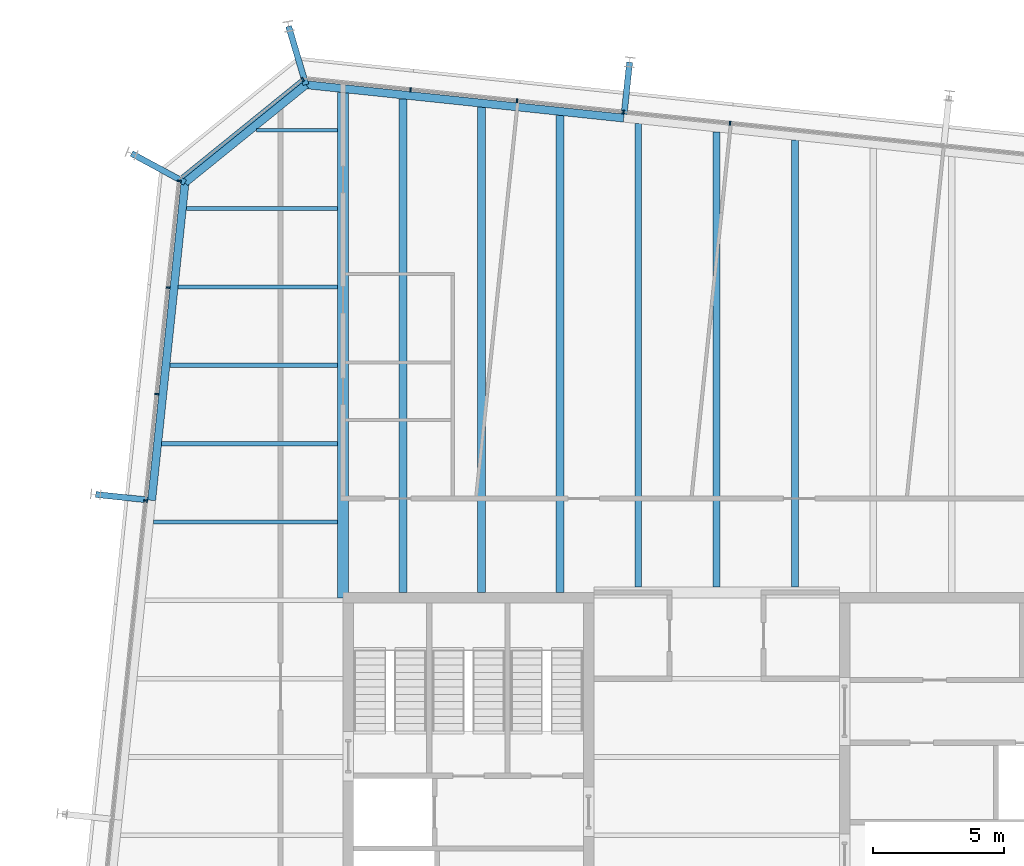
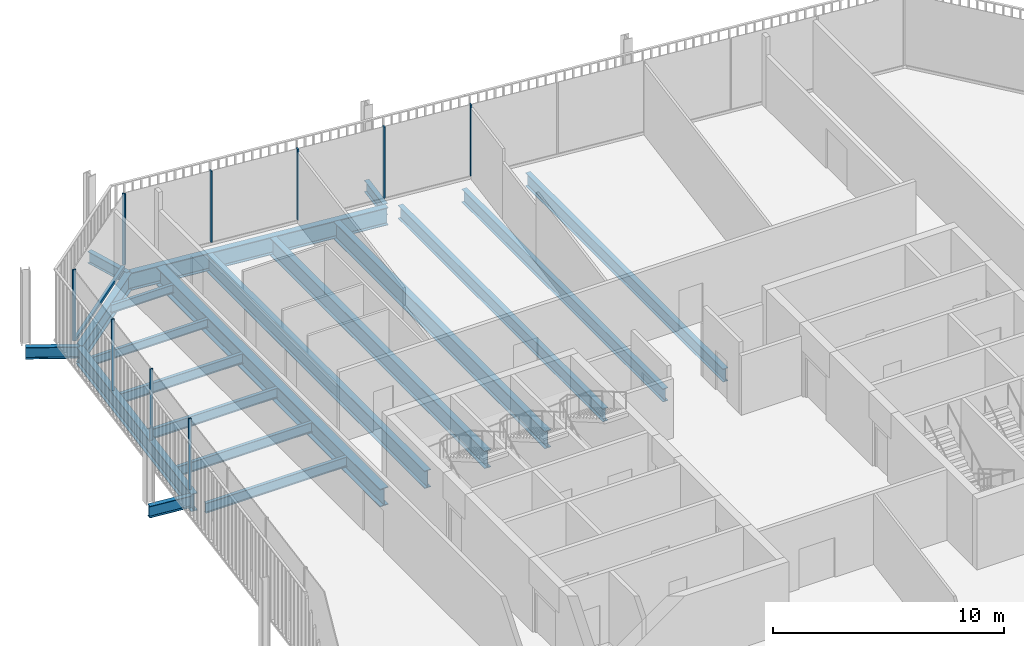
# One storey, part 12 of 20: 20 beams, 10 members, 3 elements without a shape of their own.
"""IFC4 building model written with IfcOpenShell, lengths in metres."""

import ifcopenshell
import ifcopenshell.guid

model = None  # the IFC model being written
_history = None  # IfcOwnerHistory: only IFC2X3 demands one
_inside = {}  # id of a spatial element -> (the spatial element, [elements in it])
_under = {}  # id of a project, library or spatial element -> (it, [spatial elements below it])
_declared = {}  # id of a project -> (the project, [libraries it declares])
_typed = {}  # id of a type object -> (the type object, [elements of that type])
_made_of = {}  # id of a material, layer set ... -> (it, [elements and type objects made of it])


def new_model(schema):
    """Start an empty IFC model of exactly this schema.

    Asked for "IFC4X3", IfcOpenShell would pick the latest addendum, in which some entities
    have other attributes; the version numbers below select the first issue.
    IFC2X3 requires an IfcOwnerHistory on every rooted entity: one is made here for all.
    """
    global model, _history
    if schema == "IFC4X3":
        model = ifcopenshell.file(schema_version=(4, 3, 0, 0))
    else:
        model = ifcopenshell.file(schema=schema)
    _inside.clear()
    _under.clear()
    _declared.clear()
    _typed.clear()
    _made_of.clear()
    _history = None
    if model.schema == "IFC2X3":
        org = make("IfcOrganization", Name="unknown")
        user = make(
            "IfcPersonAndOrganization",
            ThePerson=make("IfcPerson", FamilyName="unknown"),
            TheOrganization=org,
        )
        app = make(
            "IfcApplication",
            ApplicationDeveloper=org,
            Version="unknown",
            ApplicationFullName="unknown",
            ApplicationIdentifier="unknown",
        )
        _history = make(
            "IfcOwnerHistory",
            OwningUser=user,
            OwningApplication=app,
            ChangeAction="ADDED",
            CreationDate=0,
        )
    return model


def make(cls, **values):
    """One entity of the class cls with the attributes given. An attribute that is None is left unset."""
    return model.create_entity(
        cls, **{name: value for name, value in values.items() if value is not None}
    )


def rooted(cls, **values):
    """An entity with a GlobalId (a new one), such as an element, a storey or a relation."""
    return make(cls, GlobalId=ifcopenshell.guid.new(), OwnerHistory=_history, **values)


def si_unit(unit_type, name, prefix=None):
    """IfcSIUnit, for example si_unit("LENGTHUNIT", "METRE", prefix="MILLI")."""
    return make("IfcSIUnit", UnitType=unit_type, Prefix=prefix, Name=name)


def assignment(units):
    """IfcUnitAssignment: the units of a project."""
    return None if units is None else make("IfcUnitAssignment", Units=units)


def point(xyz):
    """IfcCartesianPoint."""
    return None if xyz is None else make("IfcCartesianPoint", Coordinates=xyz)


def direction(xyz):
    """IfcDirection."""
    return None if xyz is None else make("IfcDirection", DirectionRatios=xyz)


def frame(location, z_axis=None, x_axis=None):
    """IfcAxis2Placement3D, a coordinate frame: its origin and axes. An axis left out is left unset."""
    return make(
        "IfcAxis2Placement3D",
        Location=point(location),
        Axis=direction(z_axis),
        RefDirection=direction(x_axis),
    )


def frame_2d(location, x_axis=None):
    """IfcAxis2Placement2D, a coordinate frame in the plane: its origin and x axis."""
    return make(
        "IfcAxis2Placement2D", Location=point(location), RefDirection=direction(x_axis)
    )


def origin():
    """The frame at (0, 0, 0) with its axes left unset."""
    return frame((0.0, 0.0, 0.0))


def origin_2d():
    """The frame at (0, 0) in the plane with its x axis left unset."""
    return frame_2d((0.0, 0.0))


def place(relative_to, where):
    """IfcLocalPlacement: puts the frame where relative to a parent placement (None: the world)."""
    return make(
        "IfcLocalPlacement", PlacementRelTo=relative_to, RelativePlacement=where
    )


def context(
    kind, dimensions, precision=None, world=None, true_north=None, identifier=None
):
    """IfcGeometricRepresentationContext, for example the 3D "Model" context."""
    return make(
        "IfcGeometricRepresentationContext",
        ContextIdentifier=identifier,
        ContextType=kind,
        CoordinateSpaceDimension=dimensions,
        Precision=precision,
        WorldCoordinateSystem=world,
        TrueNorth=true_north,
    )


def subcontext(parent, identifier, kind, view, scale=None):
    """IfcGeometricRepresentationSubContext, for example "Body" below "Model"."""
    return make(
        "IfcGeometricRepresentationSubContext",
        ContextIdentifier=identifier,
        ContextType=kind,
        ParentContext=parent,
        TargetScale=scale,
        TargetView=view,
    )


def project(units=None, contexts=None):
    """IfcProject with its units and contexts."""
    return rooted(
        "IfcProject",
        Name="project",
        RepresentationContexts=contexts,
        UnitsInContext=assignment(units),
    )


def spatial(cls, under=None, at=None, **own):
    """A site, building, storey or space (cls), placed at a placement, below another one or the project."""
    s = rooted(cls, ObjectPlacement=at, **own)
    if under is not None:
        _under.setdefault(under.id(), (under, []))[1].append(s)
    return s


def profile(cls, at=None, kind="AREA", **sizes):
    """A parametric profile (cls). Its sizes go by their IFC names, for example OverallWidth=200.0."""
    return make(cls, ProfileType=kind, Position=at, **sizes)


def rectangle(**sizes):
    """IfcRectangleProfileDef."""
    return profile("IfcRectangleProfileDef", **sizes)


def i_section(**sizes):
    """IfcIShapeProfileDef."""
    return profile("IfcIShapeProfileDef", **sizes)


def extrude(swept, where, along, depth):
    """IfcExtrudedAreaSolid: the profile swept, set in the frame where, extruded along a direction by depth."""
    return make(
        "IfcExtrudedAreaSolid",
        SweptArea=swept,
        Position=where,
        ExtrudedDirection=direction(along),
        Depth=depth,
    )


def shape(context_of_items, identifier, shape_type, items):
    """IfcShapeRepresentation: the items that make up one representation, for example the "Body"."""
    return make(
        "IfcShapeRepresentation",
        ContextOfItems=context_of_items,
        RepresentationIdentifier=identifier,
        RepresentationType=shape_type,
        Items=items,
    )


def material(Name=None, Category=None):
    """IfcMaterial."""
    return make("IfcMaterial", Name=Name, Category=Category)


def layer(
    of_material, thickness, ventilated=None, Name=None, Category=None, Priority=None
):
    """IfcMaterialLayer: one layer of a wall or slab, of a material (None: an air gap)."""
    return make(
        "IfcMaterialLayer",
        Material=of_material,
        LayerThickness=thickness,
        IsVentilated=ventilated,
        Name=Name,
        Category=Category,
        Priority=Priority,
    )


def layer_set(layers, Name=None):
    """IfcMaterialLayerSet."""
    return make("IfcMaterialLayerSet", MaterialLayers=layers, LayerSetName=Name)


def material_profile(
    of_material, cross_section, Name=None, Category=None, Priority=None
):
    """IfcMaterialProfile: a cross section and its material."""
    return make(
        "IfcMaterialProfile",
        Name=Name,
        Material=of_material,
        Profile=cross_section,
        Priority=Priority,
        Category=Category,
    )


def profile_set(profiles, Name=None, composite=None):
    """IfcMaterialProfileSet."""
    return make(
        "IfcMaterialProfileSet",
        Name=Name,
        MaterialProfiles=profiles,
        CompositeProfile=composite,
    )


def made_of(thing, what):
    """Note that an element or type object is made of a material, layer set ...; save() writes the relation."""
    if what is not None:
        _made_of.setdefault(what.id(), (what, []))[1].append(thing)
    return thing


def type_object(cls, material=None, **own):
    """A type object (cls), such as IfcWallType, which elements share."""
    return made_of(rooted(cls, **own), material)


def element(
    cls,
    number,
    at=None,
    inside=None,
    cuts=None,
    type_object=None,
    material=None,
    context=None,
    identifier="Body",
    shape_type=None,
    held_by="IfcProductDefinitionShape",
    body=None,
    shapes=None,
    **own,
):
    """One element of the class cls, such as IfcWall. Its Tag is "e" and its number.

    at: its placement. inside: the storey or other place that contains it. cuts: it is an
    opening in that element (IfcRelVoidsElement). A single representation is given by context,
    identifier, shape_type and body (its items); several are given by shapes. held_by: the class
    of the entity that holds the representations. save() writes the other relations.
    """
    e = rooted(cls, Tag="e%d" % number, ObjectPlacement=at, **own)
    if body is not None:
        shapes = [shape(context, identifier, shape_type, body)]
    if shapes is not None:
        e.Representation = make(held_by, Representations=shapes)
    if inside is not None:
        _inside.setdefault(inside.id(), (inside, []))[1].append(e)
    if cuts is not None:
        rooted(
            "IfcRelVoidsElement", RelatingBuildingElement=cuts, RelatedOpeningElement=e
        )
    if type_object is not None:
        _typed.setdefault(type_object.id(), (type_object, []))[1].append(e)
    return made_of(e, material)


def aggregate(whole, parts):
    """IfcRelAggregates: a whole, such as a stair, and the parts it consists of."""
    return rooted("IfcRelAggregates", RelatingObject=whole, RelatedObjects=parts)


def save(model, path):
    """Write the relations noted so far, then the file.

    IfcRelAggregates (storeys below a building ...), IfcRelContainedInSpatialStructure (elements
    in a storey), IfcRelDefinesByType, IfcRelAssociatesMaterial and IfcRelDeclares: one each for
    every whole, place, type object, material and project.
    """
    for whole, parts in _under.values():
        aggregate(whole, parts)
    for where, things in _inside.values():
        rooted(
            "IfcRelContainedInSpatialStructure",
            RelatedElements=things,
            RelatingStructure=where,
        )
    for kind, things in _typed.values():
        rooted("IfcRelDefinesByType", RelatedObjects=things, RelatingType=kind)
    for what, things in _made_of.values():
        rooted("IfcRelAssociatesMaterial", RelatedObjects=things, RelatingMaterial=what)
    for by, libraries in _declared.values():
        rooted("IfcRelDeclares", RelatingContext=by, RelatedDefinitions=libraries)
    model.write(path)


model = new_model("IFC4")

# Units and contexts
model_context = context("Model", 3, precision=1e-05, world=origin(), true_north=direction((0.0, 1.0)))
body_context = subcontext(model_context, "Body", "Model", "MODEL_VIEW")
ifc_project = project(units=[si_unit("LENGTHUNIT", "METRE"), si_unit("AREAUNIT", "SQUARE_METRE"), si_unit("VOLUMEUNIT", "CUBIC_METRE"), si_unit("PLANEANGLEUNIT", "RADIAN"), si_unit("MASSUNIT", "GRAM", prefix="KILO")], contexts=[model_context])

# Site, building, storey
site_placement = place(None, origin())
site = spatial("IfcSite", under=ifc_project, at=site_placement, CompositionType="ELEMENT")
building_placement = place(site_placement, origin())
building = spatial("IfcBuilding", under=site, at=building_placement, Name="Millrace Tower", CompositionType="ELEMENT")
storey_placement = place(building_placement, frame((0.0, 0.0, 330.39990234375)))
storey = spatial("IfcBuildingStorey", under=building, at=storey_placement, Name="L76", CompositionType="ELEMENT", Elevation=330.39990234375)

# Curtain wall, members
ifc_material_1 = material(Name="Aluminium and glass", Category="aluminium")
ifc_layer = layer(ifc_material_1, 0.14990234375)
ifc_layer_set = layer_set([ifc_layer], Name="Aluminium and glass")
curtain_wall_type = type_object("IfcCurtainWallType", Name="CW-1 office vision curtain wall", PredefinedType="NOTDEFINED", material=ifc_layer_set)
placement = place(storey_placement, origin())
curtain_wall_1 = element("IfcCurtainWall", 1, at=placement, inside=storey, type_object=curtain_wall_type, Name="Curtain wall E-F06 L76", PredefinedType="NOTDEFINED")
ifc_material_2 = material(Name="Aluminium", Category="aluminium")
ifc_material_profile_1 = material_profile(ifc_material_2, rectangle(XDim=0.06494140625, YDim=0.14990234375, at=origin_2d()))
ifc_profile_set_1 = profile_set([ifc_material_profile_1], Name="Aluminium")
member_type_1 = type_object("IfcMemberType", Name="CW-1 office vision curtain wall mullion", PredefinedType="MULLION", material=ifc_profile_set_1)
member_1_placement = place(storey_placement, frame((0.514892578125, 27.267578125, 0.14013671875), z_axis=(0.0, 0.0, 1.0), x_axis=(-0.994521896217, 0.104528455196, 0.0)))
member_1 = element("IfcMember", 2, at=member_1_placement, type_object=member_type_1, Name="CW1 mullion E-F06.6", PredefinedType="MULLION", context=body_context, shape_type="SweptSolid", body=[
    extrude(rectangle(XDim=0.06494140625, YDim=0.14990234375, at=origin_2d()), origin(), (0.0, 0.0, 1.0), 3.760009765625),
])
member_2_placement = place(storey_placement, frame((-3.562744140625, 27.6962890625, 0.14013671875), z_axis=(0.0, 0.0, 1.0), x_axis=(-0.994521896217, 0.104528455196, 0.0)))
member_2 = element("IfcMember", 3, at=member_2_placement, type_object=member_type_1, Name="CW1 mullion E-F06.7", PredefinedType="MULLION", context=body_context, shape_type="SweptSolid", body=[
    extrude(rectangle(XDim=0.06494140625, YDim=0.14990234375, at=origin_2d()), origin(), (0.0, 0.0, 1.0), 3.760009765625),
])
member_3_placement = place(storey_placement, frame((-7.640380859375, 28.124755859375, 0.14013671875), z_axis=(0.0, 0.0, 1.0), x_axis=(-0.994521896217, 0.104528455196, 0.0)))
member_3 = element("IfcMember", 4, at=member_3_placement, type_object=member_type_1, Name="CW1 mullion E-F06.8", PredefinedType="MULLION", context=body_context, shape_type="SweptSolid", body=[
    extrude(rectangle(XDim=0.06494140625, YDim=0.14990234375, at=origin_2d()), origin(), (0.0, 0.0, 1.0), 3.760009765625),
])
member_4_placement = place(storey_placement, frame((-11.7177734375, 28.55322265625, 0.14013671875), z_axis=(0.0, 0.0, 1.0), x_axis=(-0.994521896217, 0.104528455196, 0.0)))
member_4 = element("IfcMember", 5, at=member_4_placement, type_object=member_type_1, Name="CW1 mullion E-F06.9", PredefinedType="MULLION", context=body_context, shape_type="SweptSolid", body=[
    extrude(rectangle(XDim=0.06494140625, YDim=0.14990234375, at=origin_2d()), origin(), (0.0, 0.0, 1.0), 3.760009765625),
])
aggregate(curtain_wall_1, [member_1, member_2, member_3, member_4])

# Curtain wall, member
curtain_wall_2 = element("IfcCurtainWall", 6, at=placement, inside=storey, type_object=curtain_wall_type, Name="Curtain wall E-F07 L76", PredefinedType="NOTDEFINED")
member_5_placement = place(storey_placement, frame((-15.84326171875, 28.941650390625, 0.14013671875), z_axis=(0.0, 0.0, 1.0), x_axis=(-0.777146052237, -0.629320278945, 0.0)))
member_5 = element("IfcMember", 7, at=member_5_placement, type_object=member_type_1, Name="CW1 mullion E-F07.1", PredefinedType="MULLION", context=body_context, shape_type="SweptSolid", body=[
    extrude(rectangle(XDim=0.06494140625, YDim=0.14990234375, at=origin_2d()), origin(), (0.0, 0.0, 1.0), 3.760009765625),
])

# Curtain wall, members
curtain_wall_3 = element("IfcCurtainWall", 8, at=placement, inside=storey, type_object=curtain_wall_type, Name="Curtain wall E-F08 L76", PredefinedType="NOTDEFINED")
member_6_placement = place(storey_placement, frame((-20.57470703125, 25.052490234375, 0.14013671875), z_axis=(0.0, 0.0, 1.0), x_axis=(-0.104528455196, -0.994521896217, 0.0)))
member_6 = element("IfcMember", 9, at=member_6_placement, type_object=member_type_1, Name="CW1 mullion E-F08.1", PredefinedType="MULLION", context=body_context, shape_type="SweptSolid", body=[
    extrude(rectangle(XDim=0.06494140625, YDim=0.14990234375, at=origin_2d()), origin(), (0.0, 0.0, 1.0), 3.760009765625),
])
member_7_placement = place(storey_placement, frame((-21.00341796875, 20.974853515625, 0.14013671875), z_axis=(0.0, 0.0, 1.0), x_axis=(-0.104528455196, -0.994521896217, 0.0)))
member_7 = element("IfcMember", 10, at=member_7_placement, type_object=member_type_1, Name="CW1 mullion E-F08.2", PredefinedType="MULLION", context=body_context, shape_type="SweptSolid", body=[
    extrude(rectangle(XDim=0.06494140625, YDim=0.14990234375, at=origin_2d()), origin(), (0.0, 0.0, 1.0), 3.760009765625),
])
member_8_placement = place(storey_placement, frame((-21.431884765625, 16.8974609375, 0.14013671875), z_axis=(0.0, 0.0, 1.0), x_axis=(-0.104528455196, -0.994521896217, 0.0)))
member_8 = element("IfcMember", 11, at=member_8_placement, type_object=member_type_1, Name="CW1 mullion E-F08.3", PredefinedType="MULLION", context=body_context, shape_type="SweptSolid", body=[
    extrude(rectangle(XDim=0.06494140625, YDim=0.14990234375, at=origin_2d()), origin(), (0.0, 0.0, 1.0), 3.760009765625),
])
member_9_placement = place(storey_placement, frame((-21.860595703125, 12.81982421875, 0.14013671875), z_axis=(0.0, 0.0, 1.0), x_axis=(-0.104528455196, -0.994521896217, 0.0)))
member_9 = element("IfcMember", 12, at=member_9_placement, type_object=member_type_1, Name="CW1 mullion E-F08.4", PredefinedType="MULLION", context=body_context, shape_type="SweptSolid", body=[
    extrude(rectangle(XDim=0.06494140625, YDim=0.14990234375, at=origin_2d()), origin(), (0.0, 0.0, 1.0), 3.760009765625),
])
aggregate(curtain_wall_3, [member_6, member_7, member_8, member_9])

# Member
ifc_material_3 = material(Name="Aluminium", Category="aluminium")
ifc_material_profile_2 = material_profile(ifc_material_3, rectangle(XDim=0.14990234375, YDim=0.139892578125, at=origin_2d()))
ifc_profile_set_2 = profile_set([ifc_material_profile_2], Name="Aluminium")
member_type_2 = type_object("IfcMemberType", Name="CW-1 office vision curtain wall transom", PredefinedType="USERDEFINED", material=ifc_profile_set_2)
member_10_placement = place(storey_placement, frame((-15.895751953125, 28.899169921875, 0.070068359375), z_axis=(-0.777165591695, -0.629296148951, 0.0), x_axis=(0.629296148951, -0.777165591695, 0.0)))
member_10 = element("IfcMember", 13, at=member_10_placement, type_object=member_type_2, Name="CW1 transom E-F07.1", ObjectType="TRANSOM", PredefinedType="USERDEFINED", context=body_context, shape_type="SweptSolid", body=[
    extrude(rectangle(XDim=0.14990234375, YDim=0.139892578125, at=origin_2d()), origin(), (0.0, 0.0, 1.0), 5.881103515625),
])

aggregate(curtain_wall_2, [member_5, member_10])

# Beams
ifc_material_4 = material(Name="Steel ASTM A992 Grade 50", Category="steel")
ifc_material_profile_3 = material_profile(ifc_material_4, i_section(OverallWidth=0.15234375, OverallDepth=0.449462890625, WebThickness=0.007568359375, FlangeThickness=0.0107421875, FilletRadius=0.01025390625, at=origin_2d()))
ifc_profile_set_3 = profile_set([ifc_material_profile_3], Name="Steel ASTM A992 Grade 50")
beam_type_1 = type_object("IfcBeamType", Name="Floor beam W18x35", PredefinedType="JOIST", material=ifc_profile_set_3)
beam_1_placement = place(storey_placement, frame((-20.301025390625, 24.0, -0.384765625), z_axis=(1.0, 0.0, 0.0), x_axis=(0.0, 1.0, 0.0)))
element("IfcBeam", 14, at=beam_1_placement, inside=storey, type_object=beam_type_1, Name="BM-E-L76-S1-S033", PredefinedType="JOIST", context=body_context, shape_type="SweptSolid", body=[
    extrude(i_section(OverallWidth=0.15234375, OverallDepth=0.449462890625, WebThickness=0.007568359375, FlangeThickness=0.0107421875, FilletRadius=0.01025390625, at=origin_2d()), origin(), (0.0, 0.0, 1.0), 5.79150390625),
])
beam_2_placement = place(storey_placement, frame((-17.609619140625, 27.0, -0.384765625), z_axis=(1.0, 0.0, 0.0), x_axis=(0.0, 1.0, 0.0)))
element("IfcBeam", 15, at=beam_2_placement, inside=storey, type_object=beam_type_1, Name="BM-E-L76-S1-S035", PredefinedType="JOIST", context=body_context, shape_type="SweptSolid", body=[
    extrude(i_section(OverallWidth=0.15234375, OverallDepth=0.449462890625, WebThickness=0.007568359375, FlangeThickness=0.0107421875, FilletRadius=0.01025390625, at=origin_2d()), origin(), (0.0, 0.0, 1.0), 3.10009765625),
])
ifc_material_5 = material(Name="Steel ASTM A992 Grade 50", Category="steel")
ifc_material_profile_4 = material_profile(ifc_material_5, i_section(OverallWidth=0.1650390625, OverallDepth=0.52587890625, WebThickness=0.0087890625, FlangeThickness=0.011474609375, FilletRadius=0.0126953125, at=origin_2d()))
ifc_profile_set_4 = profile_set([ifc_material_profile_4], Name="Steel ASTM A992 Grade 50")
beam_type_2 = type_object("IfcBeamType", Name="Floor beam W21x44", PredefinedType="JOIST", material=ifc_profile_set_4)
beam_3_placement = place(storey_placement, frame((-21.562255859375, 12.0, -0.4228515625), z_axis=(1.0, 0.0, 0.0), x_axis=(0.0, 1.0, 0.0)))
element("IfcBeam", 16, at=beam_3_placement, inside=storey, type_object=beam_type_2, Name="BM-E-L76-S1-S025", PredefinedType="JOIST", context=body_context, shape_type="SweptSolid", body=[
    extrude(i_section(OverallWidth=0.1650390625, OverallDepth=0.52587890625, WebThickness=0.0087890625, FlangeThickness=0.011474609375, FilletRadius=0.0126953125, at=origin_2d()), origin(), (0.0, 0.0, 1.0), 7.052734375),
])
beam_4_placement = place(storey_placement, frame((-21.246826171875, 15.0, -0.4228515625), z_axis=(1.0, 0.0, 0.0), x_axis=(0.0, 1.0, 0.0)))
element("IfcBeam", 17, at=beam_4_placement, inside=storey, type_object=beam_type_2, Name="BM-E-L76-S1-S027", PredefinedType="JOIST", context=body_context, shape_type="SweptSolid", body=[
    extrude(i_section(OverallWidth=0.1650390625, OverallDepth=0.52587890625, WebThickness=0.0087890625, FlangeThickness=0.011474609375, FilletRadius=0.0126953125, at=origin_2d()), origin(), (0.0, 0.0, 1.0), 6.7373046875),
])
beam_5_placement = place(storey_placement, frame((-20.931640625, 18.0, -0.4228515625), z_axis=(1.0, 0.0, 0.0), x_axis=(0.0, 1.0, 0.0)))
element("IfcBeam", 18, at=beam_5_placement, inside=storey, type_object=beam_type_2, Name="BM-E-L76-S1-S029", PredefinedType="JOIST", context=body_context, shape_type="SweptSolid", body=[
    extrude(i_section(OverallWidth=0.1650390625, OverallDepth=0.52587890625, WebThickness=0.0087890625, FlangeThickness=0.011474609375, FilletRadius=0.0126953125, at=origin_2d()), origin(), (0.0, 0.0, 1.0), 6.422119140625),
])
beam_6_placement = place(storey_placement, frame((-20.6162109375, 21.0, -0.4228515625), z_axis=(1.0, 0.0, 0.0), x_axis=(0.0, 1.0, 0.0)))
element("IfcBeam", 19, at=beam_6_placement, inside=storey, type_object=beam_type_2, Name="BM-E-L76-S1-S031", PredefinedType="JOIST", context=body_context, shape_type="SweptSolid", body=[
    extrude(i_section(OverallWidth=0.1650390625, OverallDepth=0.52587890625, WebThickness=0.0087890625, FlangeThickness=0.011474609375, FilletRadius=0.0126953125, at=origin_2d()), origin(), (0.0, 0.0, 1.0), 6.106689453125),
])
ifc_material_6 = material(Name="Steel ASTM A992 Grade 50", Category="steel")
ifc_material_profile_5 = material_profile(ifc_material_6, i_section(OverallWidth=0.256591796875, OverallDepth=0.693359375, WebThickness=0.014404296875, FlangeThickness=0.023681640625, FilletRadius=0.01513671875, at=origin_2d()))
ifc_profile_set_5 = profile_set([ifc_material_profile_5], Name="Steel ASTM A992 Grade 50")
beam_type_3 = type_object("IfcBeamType", Name="Floor beam W27x114", PredefinedType="JOIST", material=ifc_profile_set_5)
beam_7_placement = place(storey_placement, frame((-3.0, 9.509521484375, -0.506591796875), z_axis=(0.0, 1.0, 0.0), x_axis=(-1.0, 0.0, 0.0)))
element("IfcBeam", 20, at=beam_7_placement, inside=storey, type_object=beam_type_3, Name="BM-E-L76-S1-S042", PredefinedType="JOIST", context=body_context, shape_type="SweptSolid", body=[
    extrude(i_section(OverallWidth=0.256591796875, OverallDepth=0.693359375, WebThickness=0.014404296875, FlangeThickness=0.023681640625, FilletRadius=0.01513671875, at=origin_2d()), origin(), (0.0, 0.0, 1.0), 17.7431640625),
])
beam_8_placement = place(storey_placement, frame((0.0, 9.509521484375, -0.506591796875), z_axis=(0.0, 1.0, 0.0), x_axis=(-1.0, 0.0, 0.0)))
element("IfcBeam", 21, at=beam_8_placement, inside=storey, type_object=beam_type_3, Name="BM-E-L76-S1-S044", PredefinedType="JOIST", context=body_context, shape_type="SweptSolid", body=[
    extrude(i_section(OverallWidth=0.256591796875, OverallDepth=0.693359375, WebThickness=0.014404296875, FlangeThickness=0.023681640625, FilletRadius=0.01513671875, at=origin_2d()), origin(), (0.0, 0.0, 1.0), 17.427734375),
])
beam_9_placement = place(storey_placement, frame((3.0, 9.509521484375, -0.506591796875), z_axis=(0.0, 1.0, 0.0), x_axis=(-1.0, 0.0, 0.0)))
element("IfcBeam", 22, at=beam_9_placement, inside=storey, type_object=beam_type_3, Name="BM-E-L76-S1-S046", PredefinedType="JOIST", context=body_context, shape_type="SweptSolid", body=[
    extrude(i_section(OverallWidth=0.256591796875, OverallDepth=0.693359375, WebThickness=0.014404296875, FlangeThickness=0.023681640625, FilletRadius=0.01513671875, at=origin_2d()), origin(), (0.0, 0.0, 1.0), 17.112548828125),
])
ifc_material_7 = material(Name="Steel ASTM A992 Grade 50", Category="steel")
ifc_material_profile_6 = material_profile(ifc_material_7, i_section(OverallWidth=0.307373046875, OverallDepth=0.927001953125, WebThickness=0.01953125, FlangeThickness=0.031982421875, FilletRadius=0.01904296875, at=origin_2d()))
ifc_profile_set_6 = profile_set([ifc_material_profile_6], Name="Steel ASTM A992 Grade 50")
beam_type_4 = type_object("IfcBeamType", Name="Floor beam W36x194", PredefinedType="JOIST", material=ifc_profile_set_6)
beam_10_placement = place(storey_placement, frame((-12.0, 9.300048828125, -0.62353515625), z_axis=(0.0, 1.0, 0.0), x_axis=(-1.0, 0.0, 0.0)))
element("IfcBeam", 23, at=beam_10_placement, inside=storey, type_object=beam_type_4, Name="BM-E-L76-S1-S036", PredefinedType="JOIST", context=body_context, shape_type="SweptSolid", body=[
    extrude(i_section(OverallWidth=0.307373046875, OverallDepth=0.927001953125, WebThickness=0.01953125, FlangeThickness=0.031982421875, FilletRadius=0.01904296875, at=origin_2d()), origin(), (0.0, 0.0, 1.0), 18.8984375),
])
beam_11_placement = place(storey_placement, frame((-9.0, 9.300048828125, -0.62353515625), z_axis=(0.0, 1.0, 0.0), x_axis=(-1.0, 0.0, 0.0)))
element("IfcBeam", 24, at=beam_11_placement, inside=storey, type_object=beam_type_4, Name="BM-E-L76-S1-S038", PredefinedType="JOIST", context=body_context, shape_type="SweptSolid", body=[
    extrude(i_section(OverallWidth=0.307373046875, OverallDepth=0.927001953125, WebThickness=0.01953125, FlangeThickness=0.031982421875, FilletRadius=0.01904296875, at=origin_2d()), origin(), (0.0, 0.0, 1.0), 18.583251953125),
])
beam_12_placement = place(storey_placement, frame((-6.0, 9.300048828125, -0.62353515625), z_axis=(0.0, 1.0, 0.0), x_axis=(-1.0, 0.0, 0.0)))
element("IfcBeam", 25, at=beam_12_placement, inside=storey, type_object=beam_type_4, Name="BM-E-L76-S1-S040", PredefinedType="JOIST", context=body_context, shape_type="SweptSolid", body=[
    extrude(i_section(OverallWidth=0.307373046875, OverallDepth=0.927001953125, WebThickness=0.01953125, FlangeThickness=0.031982421875, FilletRadius=0.01904296875, at=origin_2d()), origin(), (0.0, 0.0, 1.0), 18.267822265625),
])
ifc_material_8 = material(Name="Steel ASTM A992 Grade 50", Category="steel")
ifc_material_profile_7 = material_profile(ifc_material_8, i_section(OverallWidth=0.424072265625, OverallDepth=0.947509765625, WebThickness=0.02392578125, FlangeThickness=0.042724609375, FilletRadius=0.024169921875, at=origin_2d()))
ifc_profile_set_7 = profile_set([ifc_material_profile_7], Name="Steel ASTM A992 Grade 50")
beam_type_5 = type_object("IfcBeamType", Name="Girder medium span W36x302", PredefinedType="BEAM", material=ifc_profile_set_7)
beam_13_placement = place(storey_placement, frame((-14.300048828125, 9.083984375, -0.633544921875), z_axis=(0.0, 1.0, 0.0), x_axis=(-1.0, 0.0, 0.0)))
element("IfcBeam", 26, at=beam_13_placement, inside=storey, type_object=beam_type_5, Name="BM-E-L76-S1-G054", PredefinedType="BEAM", context=body_context, shape_type="SweptSolid", body=[
    extrude(i_section(OverallWidth=0.424072265625, OverallDepth=0.947509765625, WebThickness=0.02392578125, FlangeThickness=0.042724609375, FilletRadius=0.024169921875, at=origin_2d()), origin(), (0.0, 0.0, 1.0), 19.356201171875),
])
ifc_material_9 = material(Name="Steel ASTM A992 Grade 50", Category="steel")
ifc_material_profile_8 = material_profile(ifc_material_9, i_section(OverallWidth=0.23046875, OverallDepth=0.6171875, WebThickness=0.01318359375, FlangeThickness=0.022216796875, FilletRadius=0.012939453125, at=origin_2d()))
ifc_profile_set_8 = profile_set([ifc_material_profile_8], Name="Steel ASTM A992 Grade 50")
beam_type_6 = type_object("IfcBeamType", Name="Link beam W24x94", PredefinedType="BEAM", material=ifc_profile_set_8)
beam_14_placement = place(storey_placement, frame((-21.782470703125, 12.84423828125, -0.468505859375), z_axis=(-0.994512808172, 0.104614886044, 0.0), x_axis=(-0.104614886044, -0.994512808172, 0.0)))
element("IfcBeam", 27, at=beam_14_placement, inside=storey, type_object=beam_type_6, Name="LNK-E-L76-S1-03", PredefinedType="BEAM", context=body_context, shape_type="SweptSolid", body=[
    extrude(i_section(OverallWidth=0.23046875, OverallDepth=0.6171875, WebThickness=0.01318359375, FlangeThickness=0.022216796875, FilletRadius=0.012939453125, at=origin_2d()), origin(), (0.0, 0.0, 1.0), 2.0),
])
for number, where, z_axis, x_axis, name in (
    (28, (-20.3505859375, 24.99755859375, -0.468505859375), (-0.87881453358, 0.477163510307, 0.0), (-0.477163510307, -0.87881453358, 0.0), "LNK-E-L76-S1-04"),
    (29, (-15.7236328125, 28.744384765625, -0.468505859375), (-0.284031275065, 0.958815015936, 0.0), (-0.958815015936, -0.284031275065, 0.0), "LNK-E-L76-S1-05"),
):
    element("IfcBeam", number, at=place(storey_placement, frame(where, z_axis=z_axis, x_axis=x_axis)), inside=storey, type_object=beam_type_6, Name=name, PredefinedType="BEAM", context=body_context, shape_type="SweptSolid", body=[
        extrude(i_section(OverallWidth=0.23046875, OverallDepth=0.6171875, WebThickness=0.01318359375, FlangeThickness=0.022216796875, FilletRadius=0.012939453125, at=origin_2d()), origin(), (0.0, 0.0, 1.0), 2.3310546875),
    ])
beam_15_placement = place(storey_placement, frame((-3.538330078125, 27.6181640625, -0.468505859375), z_axis=(0.104494148666, 0.99452550138, 0.0), x_axis=(-0.99452550138, 0.104494148666, 0.0)))
element("IfcBeam", 30, at=beam_15_placement, inside=storey, type_object=beam_type_6, Name="LNK-E-L76-S1-06", PredefinedType="BEAM", context=body_context, shape_type="SweptSolid", body=[
    extrude(i_section(OverallWidth=0.23046875, OverallDepth=0.6171875, WebThickness=0.01318359375, FlangeThickness=0.022216796875, FilletRadius=0.012939453125, at=origin_2d()), origin(), (0.0, 0.0, 1.0), 2.0),
])
ifc_material_10 = material(Name="Steel ASTM A992 Grade 50", Category="steel")
ifc_material_profile_9 = material_profile(ifc_material_10, i_section(OverallWidth=0.307373046875, OverallDepth=0.927001953125, WebThickness=0.01953125, FlangeThickness=0.031982421875, FilletRadius=0.01904296875, at=origin_2d()))
ifc_profile_set_9 = profile_set([ifc_material_profile_9], Name="Steel ASTM A992 Grade 50")
beam_type_7 = type_object("IfcBeamType", Name="Ring beam medium span W36x194", PredefinedType="SPANDREL", material=ifc_profile_set_9)
for number, where, z_axis, x_axis, name in (
    (31, (-21.629638671875, 12.828369140625, -0.62353515625), (0.104530030035, 0.994521730693, 0.0), (-0.994521730693, 0.104530030035, 0.0), "RNG-E-L76-S1-03"),
    (32, (-15.7236328125, 28.744384765625, -0.62353515625), (0.994521730693, -0.104530030035, 0.0), (0.104530030035, 0.994521730693, 0.0), "RNG-E-L76-S1-05"),
):
    element("IfcBeam", number, at=place(storey_placement, frame(where, z_axis=z_axis, x_axis=x_axis)), inside=storey, type_object=beam_type_7, Name=name, PredefinedType="SPANDREL", context=body_context, shape_type="SweptSolid", body=[
        extrude(i_section(OverallWidth=0.307373046875, OverallDepth=0.927001953125, WebThickness=0.01953125, FlangeThickness=0.031982421875, FilletRadius=0.01904296875, at=origin_2d()), origin(), (0.0, 0.0, 1.0), 12.236328125),
    ])
ifc_material_11 = material(Name="Steel ASTM A992 Grade 50", Category="steel")
ifc_material_profile_10 = material_profile(ifc_material_11, i_section(OverallWidth=0.307373046875, OverallDepth=0.927001953125, WebThickness=0.01953125, FlangeThickness=0.031982421875, FilletRadius=0.01904296875, at=origin_2d()))
ifc_profile_set_10 = profile_set([ifc_material_profile_10], Name="Steel ASTM A992 Grade 50")
beam_type_8 = type_object("IfcBeamType", Name="Ring beam short span W36x194", PredefinedType="SPANDREL", material=ifc_profile_set_10)
beam_16_placement = place(storey_placement, frame((-20.3505859375, 24.99755859375, -0.62353515625), z_axis=(0.777146502883, 0.629319722443, 0.0), x_axis=(-0.629319722443, 0.777146502883, 0.0)))
element("IfcBeam", 33, at=beam_16_placement, inside=storey, type_object=beam_type_8, Name="RNG-E-L76-S1-04", PredefinedType="SPANDREL", context=body_context, shape_type="SweptSolid", body=[
    extrude(i_section(OverallWidth=0.307373046875, OverallDepth=0.927001953125, WebThickness=0.01953125, FlangeThickness=0.031982421875, FilletRadius=0.01904296875, at=origin_2d()), origin(), (0.0, 0.0, 1.0), 5.953857421875),
])

save(model, "model.ifc")
